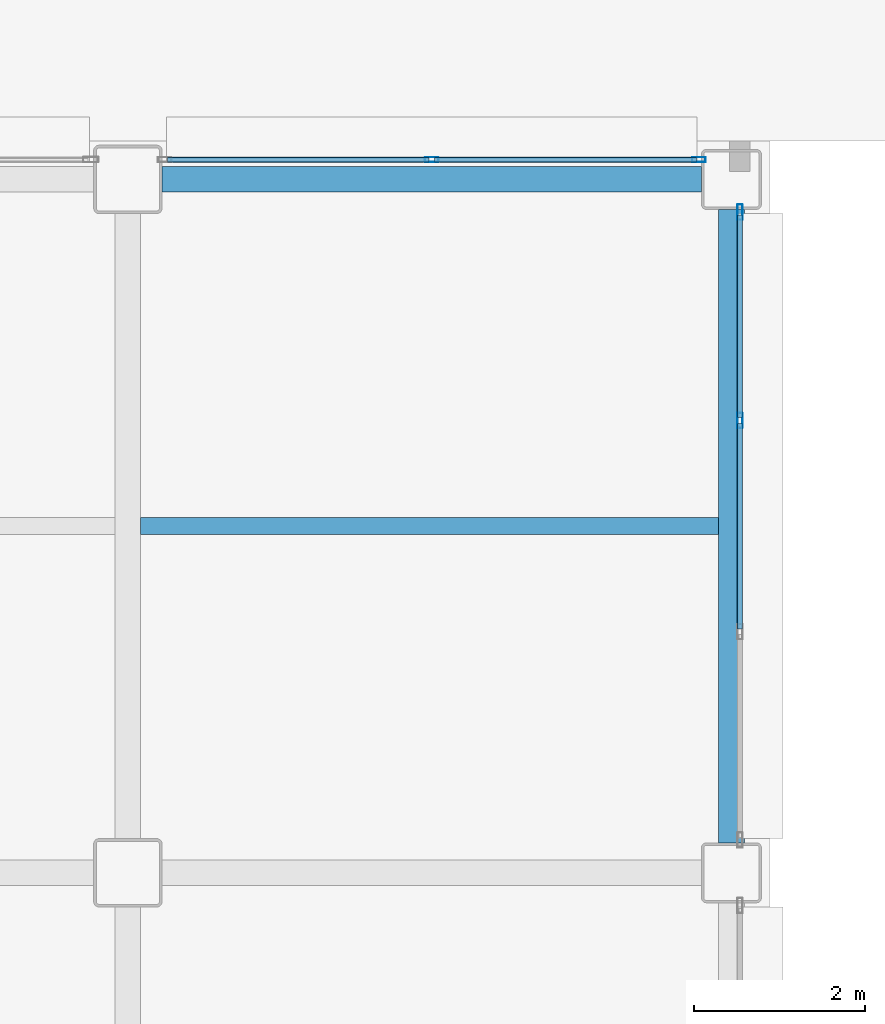
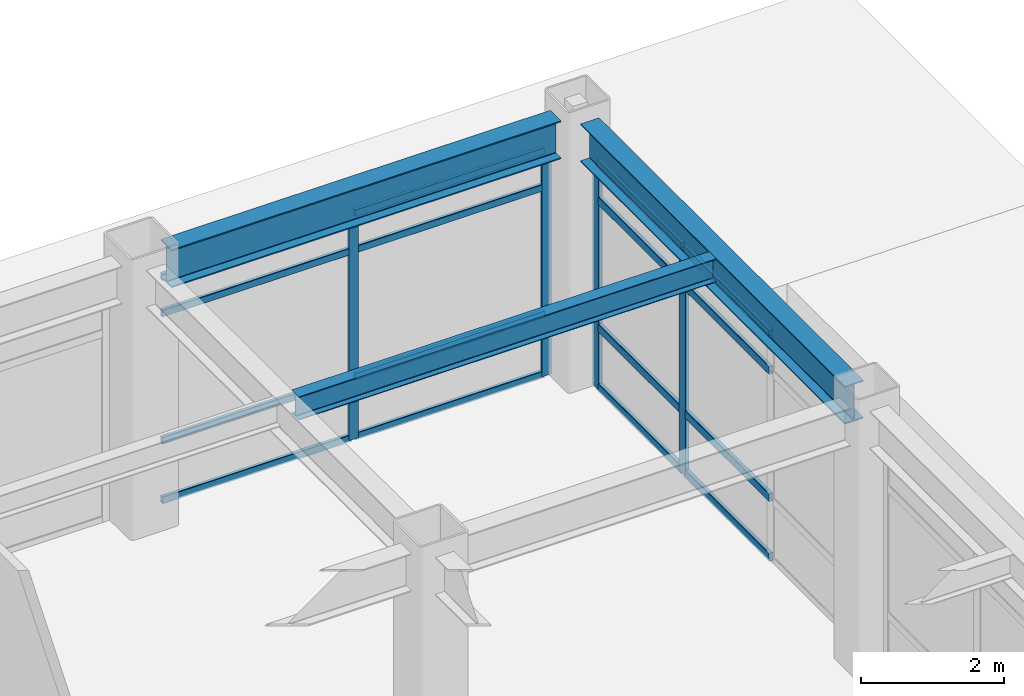
# One storey, part 122 of 172: 20 members, 3 beams, 2 elements without a shape of their own.
"""IFC4 building model written with IfcOpenShell, lengths in metres."""

import ifcopenshell
import ifcopenshell.guid

model = None  # the IFC model being written
_history = None  # IfcOwnerHistory: only IFC2X3 demands one
_inside = {}  # id of a spatial element -> (the spatial element, [elements in it])
_under = {}  # id of a project, library or spatial element -> (it, [spatial elements below it])
_declared = {}  # id of a project -> (the project, [libraries it declares])
_typed = {}  # id of a type object -> (the type object, [elements of that type])
_made_of = {}  # id of a material, layer set ... -> (it, [elements and type objects made of it])


def new_model(schema):
    """Start an empty IFC model of exactly this schema.

    Asked for "IFC4X3", IfcOpenShell would pick the latest addendum, in which some entities
    have other attributes; the version numbers below select the first issue.
    IFC2X3 requires an IfcOwnerHistory on every rooted entity: one is made here for all.
    """
    global model, _history
    if schema == "IFC4X3":
        model = ifcopenshell.file(schema_version=(4, 3, 0, 0))
    else:
        model = ifcopenshell.file(schema=schema)
    _inside.clear()
    _under.clear()
    _declared.clear()
    _typed.clear()
    _made_of.clear()
    _history = None
    if model.schema == "IFC2X3":
        org = make("IfcOrganization", Name="unknown")
        user = make(
            "IfcPersonAndOrganization",
            ThePerson=make("IfcPerson", FamilyName="unknown"),
            TheOrganization=org,
        )
        app = make(
            "IfcApplication",
            ApplicationDeveloper=org,
            Version="unknown",
            ApplicationFullName="unknown",
            ApplicationIdentifier="unknown",
        )
        _history = make(
            "IfcOwnerHistory",
            OwningUser=user,
            OwningApplication=app,
            ChangeAction="ADDED",
            CreationDate=0,
        )
    return model


def make(cls, **values):
    """One entity of the class cls with the attributes given. An attribute that is None is left unset."""
    return model.create_entity(
        cls, **{name: value for name, value in values.items() if value is not None}
    )


def rooted(cls, **values):
    """An entity with a GlobalId (a new one), such as an element, a storey or a relation."""
    return make(cls, GlobalId=ifcopenshell.guid.new(), OwnerHistory=_history, **values)


def si_unit(unit_type, name, prefix=None):
    """IfcSIUnit, for example si_unit("LENGTHUNIT", "METRE", prefix="MILLI")."""
    return make("IfcSIUnit", UnitType=unit_type, Prefix=prefix, Name=name)


def assignment(units):
    """IfcUnitAssignment: the units of a project."""
    return None if units is None else make("IfcUnitAssignment", Units=units)


def point(xyz):
    """IfcCartesianPoint."""
    return None if xyz is None else make("IfcCartesianPoint", Coordinates=xyz)


def direction(xyz):
    """IfcDirection."""
    return None if xyz is None else make("IfcDirection", DirectionRatios=xyz)


def frame(location, z_axis=None, x_axis=None):
    """IfcAxis2Placement3D, a coordinate frame: its origin and axes. An axis left out is left unset."""
    return make(
        "IfcAxis2Placement3D",
        Location=point(location),
        Axis=direction(z_axis),
        RefDirection=direction(x_axis),
    )


def frame_2d(location, x_axis=None):
    """IfcAxis2Placement2D, a coordinate frame in the plane: its origin and x axis."""
    return make(
        "IfcAxis2Placement2D", Location=point(location), RefDirection=direction(x_axis)
    )


def origin():
    """The frame at (0, 0, 0) with its axes left unset."""
    return frame((0.0, 0.0, 0.0))


def origin_2d():
    """The frame at (0, 0) in the plane with its x axis left unset."""
    return frame_2d((0.0, 0.0))


def place(relative_to, where):
    """IfcLocalPlacement: puts the frame where relative to a parent placement (None: the world)."""
    return make(
        "IfcLocalPlacement", PlacementRelTo=relative_to, RelativePlacement=where
    )


def context(
    kind, dimensions, precision=None, world=None, true_north=None, identifier=None
):
    """IfcGeometricRepresentationContext, for example the 3D "Model" context."""
    return make(
        "IfcGeometricRepresentationContext",
        ContextIdentifier=identifier,
        ContextType=kind,
        CoordinateSpaceDimension=dimensions,
        Precision=precision,
        WorldCoordinateSystem=world,
        TrueNorth=true_north,
    )


def subcontext(parent, identifier, kind, view, scale=None):
    """IfcGeometricRepresentationSubContext, for example "Body" below "Model"."""
    return make(
        "IfcGeometricRepresentationSubContext",
        ContextIdentifier=identifier,
        ContextType=kind,
        ParentContext=parent,
        TargetScale=scale,
        TargetView=view,
    )


def project(units=None, contexts=None):
    """IfcProject with its units and contexts."""
    return rooted(
        "IfcProject",
        Name="project",
        RepresentationContexts=contexts,
        UnitsInContext=assignment(units),
    )


def spatial(cls, under=None, at=None, **own):
    """A site, building, storey or space (cls), placed at a placement, below another one or the project."""
    s = rooted(cls, ObjectPlacement=at, **own)
    if under is not None:
        _under.setdefault(under.id(), (under, []))[1].append(s)
    return s


def profile(cls, at=None, kind="AREA", **sizes):
    """A parametric profile (cls). Its sizes go by their IFC names, for example OverallWidth=200.0."""
    return make(cls, ProfileType=kind, Position=at, **sizes)


def hollow_rectangle(**sizes):
    """IfcRectangleHollowProfileDef."""
    return profile("IfcRectangleHollowProfileDef", **sizes)


def i_section(**sizes):
    """IfcIShapeProfileDef."""
    return profile("IfcIShapeProfileDef", **sizes)


def extrude(swept, where, along, depth):
    """IfcExtrudedAreaSolid: the profile swept, set in the frame where, extruded along a direction by depth."""
    return make(
        "IfcExtrudedAreaSolid",
        SweptArea=swept,
        Position=where,
        ExtrudedDirection=direction(along),
        Depth=depth,
    )


def shape(context_of_items, identifier, shape_type, items):
    """IfcShapeRepresentation: the items that make up one representation, for example the "Body"."""
    return make(
        "IfcShapeRepresentation",
        ContextOfItems=context_of_items,
        RepresentationIdentifier=identifier,
        RepresentationType=shape_type,
        Items=items,
    )


def material(Name=None, Category=None):
    """IfcMaterial."""
    return make("IfcMaterial", Name=Name, Category=Category)


def layer(
    of_material, thickness, ventilated=None, Name=None, Category=None, Priority=None
):
    """IfcMaterialLayer: one layer of a wall or slab, of a material (None: an air gap)."""
    return make(
        "IfcMaterialLayer",
        Material=of_material,
        LayerThickness=thickness,
        IsVentilated=ventilated,
        Name=Name,
        Category=Category,
        Priority=Priority,
    )


def layer_set(layers, Name=None):
    """IfcMaterialLayerSet."""
    return make("IfcMaterialLayerSet", MaterialLayers=layers, LayerSetName=Name)


def material_profile(
    of_material, cross_section, Name=None, Category=None, Priority=None
):
    """IfcMaterialProfile: a cross section and its material."""
    return make(
        "IfcMaterialProfile",
        Name=Name,
        Material=of_material,
        Profile=cross_section,
        Priority=Priority,
        Category=Category,
    )


def profile_set(profiles, Name=None, composite=None):
    """IfcMaterialProfileSet."""
    return make(
        "IfcMaterialProfileSet",
        Name=Name,
        MaterialProfiles=profiles,
        CompositeProfile=composite,
    )


def made_of(thing, what):
    """Note that an element or type object is made of a material, layer set ...; save() writes the relation."""
    if what is not None:
        _made_of.setdefault(what.id(), (what, []))[1].append(thing)
    return thing


def type_object(cls, material=None, **own):
    """A type object (cls), such as IfcWallType, which elements share."""
    return made_of(rooted(cls, **own), material)


def element(
    cls,
    number,
    at=None,
    inside=None,
    cuts=None,
    type_object=None,
    material=None,
    context=None,
    identifier="Body",
    shape_type=None,
    held_by="IfcProductDefinitionShape",
    body=None,
    shapes=None,
    **own,
):
    """One element of the class cls, such as IfcWall. Its Tag is "e" and its number.

    at: its placement. inside: the storey or other place that contains it. cuts: it is an
    opening in that element (IfcRelVoidsElement). A single representation is given by context,
    identifier, shape_type and body (its items); several are given by shapes. held_by: the class
    of the entity that holds the representations. save() writes the other relations.
    """
    e = rooted(cls, Tag="e%d" % number, ObjectPlacement=at, **own)
    if body is not None:
        shapes = [shape(context, identifier, shape_type, body)]
    if shapes is not None:
        e.Representation = make(held_by, Representations=shapes)
    if inside is not None:
        _inside.setdefault(inside.id(), (inside, []))[1].append(e)
    if cuts is not None:
        rooted(
            "IfcRelVoidsElement", RelatingBuildingElement=cuts, RelatedOpeningElement=e
        )
    if type_object is not None:
        _typed.setdefault(type_object.id(), (type_object, []))[1].append(e)
    return made_of(e, material)


def aggregate(whole, parts):
    """IfcRelAggregates: a whole, such as a stair, and the parts it consists of."""
    return rooted("IfcRelAggregates", RelatingObject=whole, RelatedObjects=parts)


def save(model, path):
    """Write the relations noted so far, then the file.

    IfcRelAggregates (storeys below a building ...), IfcRelContainedInSpatialStructure (elements
    in a storey), IfcRelDefinesByType, IfcRelAssociatesMaterial and IfcRelDeclares: one each for
    every whole, place, type object, material and project.
    """
    for whole, parts in _under.values():
        aggregate(whole, parts)
    for where, things in _inside.values():
        rooted(
            "IfcRelContainedInSpatialStructure",
            RelatedElements=things,
            RelatingStructure=where,
        )
    for kind, things in _typed.values():
        rooted("IfcRelDefinesByType", RelatedObjects=things, RelatingType=kind)
    for what, things in _made_of.values():
        rooted("IfcRelAssociatesMaterial", RelatedObjects=things, RelatingMaterial=what)
    for by, libraries in _declared.values():
        rooted("IfcRelDeclares", RelatingContext=by, RelatedDefinitions=libraries)
    model.write(path)


model = new_model("IFC4")

# Units and contexts
model_context = context("Model", 3, precision=1e-05, world=origin(), true_north=direction((0.0, 1.0)))
body_context = subcontext(model_context, "Body", "Model", "MODEL_VIEW")
ifc_project = project(units=[si_unit("LENGTHUNIT", "METRE"), si_unit("AREAUNIT", "SQUARE_METRE"), si_unit("VOLUMEUNIT", "CUBIC_METRE"), si_unit("PLANEANGLEUNIT", "RADIAN"), si_unit("MASSUNIT", "GRAM", prefix="KILO")], contexts=[model_context])

# Site, building, storey
site_placement = place(None, origin())
site = spatial("IfcSite", under=ifc_project, at=site_placement, CompositionType="ELEMENT")
building_placement = place(site_placement, origin())
building = spatial("IfcBuilding", under=site, at=building_placement, Name="Kazehara Bluff Congress Hotel", CompositionType="ELEMENT")
storey_placement = place(building_placement, frame((0.0, 0.0, 5.39990234375)))
storey = spatial("IfcBuildingStorey", under=building, at=storey_placement, Name="L01", CompositionType="ELEMENT", Elevation=5.39990234375)

# Curtain wall, members
ifc_material_1 = material(Name="Anodised aluminium", Category="aluminium")
ifc_layer_1 = layer(ifc_material_1, 0.159912109375)
ifc_layer_set_1 = layer_set([ifc_layer_1], Name="Anodised aluminium")
curtain_wall_type_1 = type_object("IfcCurtainWallType", Name="TP-CW-112", PredefinedType="NOTDEFINED", material=ifc_layer_set_1)
curtain_wall_1_placement = place(storey_placement, origin())
curtain_wall_1 = element("IfcCurtainWall", 1, at=curtain_wall_1_placement, inside=storey, type_object=curtain_wall_type_1, Name="L01 curtain wall CW-112 CW-ENC-V5-L01-16405-11378", PredefinedType="NOTDEFINED")
ifc_material_2 = material(Name="Anodised aluminium", Category="aluminium")
ifc_material_profile_1 = material_profile(ifc_material_2, hollow_rectangle(XDim=0.06005859375, YDim=0.159912109375, WallThickness=0.00390625, InnerFilletRadius=0.00390625, OuterFilletRadius=0.008056640625, at=origin_2d()))
ifc_profile_set_1 = profile_set([ifc_material_profile_1], Name="Anodised aluminium")
member_type_1 = type_object("IfcMemberType", Name="TP-CWM-01", PredefinedType="MULLION", material=ifc_profile_set_1)
member_1_placement = place(storey_placement, frame((164.050048828125, 113.780029296875, 0.0), z_axis=(0.0, 0.0, 1.0), x_axis=(0.0, 1.0, 0.0)))
member_1 = element("IfcMember", 2, at=member_1_placement, type_object=member_type_1, Name="CW-112 mullion 2", PredefinedType="MULLION", context=body_context, shape_type="SweptSolid", body=[
    extrude(hollow_rectangle(XDim=0.06005859375, YDim=0.159912109375, WallThickness=0.00390625, InnerFilletRadius=0.00390625, OuterFilletRadius=0.008056640625, at=origin_2d()), origin(), (0.0, 0.0, 1.0), 3.875),
])
member_2_placement = place(storey_placement, frame((167.169921875, 113.780029296875, 0.0), z_axis=(0.0, 0.0, 1.0), x_axis=(0.0, 1.0, 0.0)))
member_2 = element("IfcMember", 3, at=member_2_placement, type_object=member_type_1, Name="CW-112 mullion 3", PredefinedType="MULLION", context=body_context, shape_type="SweptSolid", body=[
    extrude(hollow_rectangle(XDim=0.06005859375, YDim=0.159912109375, WallThickness=0.00390625, InnerFilletRadius=0.00390625, OuterFilletRadius=0.008056640625, at=origin_2d()), origin(), (0.0, 0.0, 1.0), 3.875),
])

ifc_material_3 = material(Name="Anodised aluminium", Category="aluminium")
ifc_layer_2 = layer(ifc_material_3, 0.159912109375)
ifc_layer_set_2 = layer_set([ifc_layer_2], Name="Anodised aluminium")
curtain_wall_type_2 = type_object("IfcCurtainWallType", Name="TP-CW-34", PredefinedType="NOTDEFINED", material=ifc_layer_set_2)
curtain_wall_2_placement = place(storey_placement, origin())
curtain_wall_2 = element("IfcCurtainWall", 4, at=curtain_wall_2_placement, inside=storey, type_object=curtain_wall_type_2, Name="L01 curtain wall CW-34 CW-ENC-V5-L01-16765-10950", PredefinedType="NOTDEFINED")
ifc_material_4 = material(Name="Anodised aluminium", Category="aluminium")
ifc_material_profile_2 = material_profile(ifc_material_4, hollow_rectangle(XDim=0.06494140625, YDim=0.179931640625, WallThickness=0.00390625, InnerFilletRadius=0.00390625, OuterFilletRadius=0.008056640625, at=origin_2d()))
ifc_profile_set_2 = profile_set([ifc_material_profile_2], Name="Anodised aluminium")
member_type_2 = type_object("IfcMemberType", Name="TP-CWM-02", PredefinedType="MULLION", material=ifc_profile_set_2)
member_3_placement = place(storey_placement, frame((167.64990234375, 113.16748046875, 0.0), z_axis=(0.0, 0.0, 1.0), x_axis=(1.0, 0.0, 0.0)))
member_3 = element("IfcMember", 5, at=member_3_placement, type_object=member_type_2, Name="CW-34 mullion 1", PredefinedType="MULLION", context=body_context, shape_type="SweptSolid", body=[
    extrude(hollow_rectangle(XDim=0.06494140625, YDim=0.179931640625, WallThickness=0.00390625, InnerFilletRadius=0.00390625, OuterFilletRadius=0.008056640625, at=origin_2d()), origin(), (0.0, 0.0, 1.0), 3.875),
])
member_4_placement = place(storey_placement, frame((167.64990234375, 110.7333984375, 0.0), z_axis=(0.0, 0.0, 1.0), x_axis=(1.0, 0.0, 0.0)))
member_4 = element("IfcMember", 6, at=member_4_placement, type_object=member_type_2, Name="CW-34 mullion 2", PredefinedType="MULLION", context=body_context, shape_type="SweptSolid", body=[
    extrude(hollow_rectangle(XDim=0.06494140625, YDim=0.179931640625, WallThickness=0.00390625, InnerFilletRadius=0.00390625, OuterFilletRadius=0.008056640625, at=origin_2d()), origin(), (0.0, 0.0, 1.0), 3.875),
])

# Member
ifc_material_5 = material(Name="Anodised aluminium", Category="aluminium")
ifc_material_profile_3 = material_profile(ifc_material_5, hollow_rectangle(XDim=0.06005859375, YDim=0.1201171875, WallThickness=0.00390625, InnerFilletRadius=0.00390625, OuterFilletRadius=0.008056640625, at=origin_2d()))
ifc_profile_set_3 = profile_set([ifc_material_profile_3], Name="Anodised aluminium")
member_type_3 = type_object("IfcMemberType", Name="TP-CWT-01", PredefinedType="USERDEFINED", material=ifc_profile_set_3)
member_5_placement = place(storey_placement, frame((160.9599609375, 113.780029296875, 0.030029296875), z_axis=(1.0, 0.0, 0.0), x_axis=(0.0, 1.0, 0.0)))
member_5 = element("IfcMember", 7, at=member_5_placement, type_object=member_type_3, Name="CW-112 transom 1.1", ObjectType="TRANSOM", PredefinedType="USERDEFINED", context=body_context, shape_type="SweptSolid", body=[
    extrude(hollow_rectangle(XDim=0.06005859375, YDim=0.1201171875, WallThickness=0.00390625, InnerFilletRadius=0.00390625, OuterFilletRadius=0.008056640625, at=origin_2d()), origin(), (0.0, 0.0, 1.0), 3.06005859375),
])

member_6_placement = place(storey_placement, frame((160.9599609375, 113.780029296875, 1.050048828125), z_axis=(1.0, 0.0, 0.0), x_axis=(0.0, 1.0, 0.0)))
member_6 = element("IfcMember", 8, at=member_6_placement, type_object=member_type_3, Name="CW-112 transom 1.2", ObjectType="TRANSOM", PredefinedType="USERDEFINED", context=body_context, shape_type="SweptSolid", body=[
    extrude(hollow_rectangle(XDim=0.06005859375, YDim=0.1201171875, WallThickness=0.00390625, InnerFilletRadius=0.00390625, OuterFilletRadius=0.008056640625, at=origin_2d()), origin(), (0.0, 0.0, 1.0), 3.06005859375),
])

member_7_placement = place(storey_placement, frame((160.9599609375, 113.780029296875, 3.22509765625), z_axis=(1.0, 0.0, 0.0), x_axis=(0.0, 1.0, 0.0)))
member_7 = element("IfcMember", 9, at=member_7_placement, type_object=member_type_3, Name="CW-112 transom 1.3", ObjectType="TRANSOM", PredefinedType="USERDEFINED", context=body_context, shape_type="SweptSolid", body=[
    extrude(hollow_rectangle(XDim=0.06005859375, YDim=0.1201171875, WallThickness=0.00390625, InnerFilletRadius=0.00390625, OuterFilletRadius=0.008056640625, at=origin_2d()), origin(), (0.0, 0.0, 1.0), 3.06005859375),
])

member_8_placement = place(storey_placement, frame((160.9599609375, 113.780029296875, 3.84521484375), z_axis=(1.0, 0.0, 0.0), x_axis=(0.0, 1.0, 0.0)))
member_8 = element("IfcMember", 10, at=member_8_placement, type_object=member_type_3, Name="CW-112 transom 1.4", ObjectType="TRANSOM", PredefinedType="USERDEFINED", context=body_context, shape_type="SweptSolid", body=[
    extrude(hollow_rectangle(XDim=0.06005859375, YDim=0.1201171875, WallThickness=0.00390625, InnerFilletRadius=0.00390625, OuterFilletRadius=0.008056640625, at=origin_2d()), origin(), (0.0, 0.0, 1.0), 3.06005859375),
])

member_9_placement = place(storey_placement, frame((164.080078125, 113.780029296875, 0.030029296875), z_axis=(1.0, 0.0, 0.0), x_axis=(0.0, 1.0, 0.0)))
member_9 = element("IfcMember", 11, at=member_9_placement, type_object=member_type_3, Name="CW-112 transom 2.1", ObjectType="TRANSOM", PredefinedType="USERDEFINED", context=body_context, shape_type="SweptSolid", body=[
    extrude(hollow_rectangle(XDim=0.06005859375, YDim=0.1201171875, WallThickness=0.00390625, InnerFilletRadius=0.00390625, OuterFilletRadius=0.008056640625, at=origin_2d()), origin(), (0.0, 0.0, 1.0), 3.059814453125),
])

member_10_placement = place(storey_placement, frame((164.080078125, 113.780029296875, 1.050048828125), z_axis=(1.0, 0.0, 0.0), x_axis=(0.0, 1.0, 0.0)))
member_10 = element("IfcMember", 12, at=member_10_placement, type_object=member_type_3, Name="CW-112 transom 2.2", ObjectType="TRANSOM", PredefinedType="USERDEFINED", context=body_context, shape_type="SweptSolid", body=[
    extrude(hollow_rectangle(XDim=0.06005859375, YDim=0.1201171875, WallThickness=0.00390625, InnerFilletRadius=0.00390625, OuterFilletRadius=0.008056640625, at=origin_2d()), origin(), (0.0, 0.0, 1.0), 3.059814453125),
])

member_11_placement = place(storey_placement, frame((164.080078125, 113.780029296875, 3.22509765625), z_axis=(1.0, 0.0, 0.0), x_axis=(0.0, 1.0, 0.0)))
member_11 = element("IfcMember", 13, at=member_11_placement, type_object=member_type_3, Name="CW-112 transom 2.3", ObjectType="TRANSOM", PredefinedType="USERDEFINED", context=body_context, shape_type="SweptSolid", body=[
    extrude(hollow_rectangle(XDim=0.06005859375, YDim=0.1201171875, WallThickness=0.00390625, InnerFilletRadius=0.00390625, OuterFilletRadius=0.008056640625, at=origin_2d()), origin(), (0.0, 0.0, 1.0), 3.059814453125),
])

member_12_placement = place(storey_placement, frame((164.080078125, 113.780029296875, 3.84521484375), z_axis=(1.0, 0.0, 0.0), x_axis=(0.0, 1.0, 0.0)))
member_12 = element("IfcMember", 14, at=member_12_placement, type_object=member_type_3, Name="CW-112 transom 2.4", ObjectType="TRANSOM", PredefinedType="USERDEFINED", context=body_context, shape_type="SweptSolid", body=[
    extrude(hollow_rectangle(XDim=0.06005859375, YDim=0.1201171875, WallThickness=0.00390625, InnerFilletRadius=0.00390625, OuterFilletRadius=0.008056640625, at=origin_2d()), origin(), (0.0, 0.0, 1.0), 3.059814453125),
])

aggregate(curtain_wall_1, [member_1, member_2, member_5, member_6, member_7, member_8, member_9, member_10, member_11, member_12])

ifc_material_6 = material(Name="Anodised aluminium", Category="aluminium")
ifc_material_profile_4 = material_profile(ifc_material_6, hollow_rectangle(XDim=0.06494140625, YDim=0.139892578125, WallThickness=0.00390625, InnerFilletRadius=0.00390625, OuterFilletRadius=0.008056640625, at=origin_2d()))
ifc_profile_set_4 = profile_set([ifc_material_profile_4], Name="Anodised aluminium")
member_type_4 = type_object("IfcMemberType", Name="TP-CWT-02", PredefinedType="USERDEFINED", material=ifc_profile_set_4)
member_13_placement = place(storey_placement, frame((167.64990234375, 113.135009765625, 0.03271484375), z_axis=(0.0, -1.0, 0.0), x_axis=(1.0, 0.0, 0.0)))
member_13 = element("IfcMember", 15, at=member_13_placement, type_object=member_type_4, Name="CW-34 transom 1.1", ObjectType="TRANSOM", PredefinedType="USERDEFINED", context=body_context, shape_type="SweptSolid", body=[
    extrude(hollow_rectangle(XDim=0.06494140625, YDim=0.139892578125, WallThickness=0.00390625, InnerFilletRadius=0.00390625, OuterFilletRadius=0.008056640625, at=origin_2d()), origin(), (0.0, 0.0, 1.0), 2.369140625),
])

member_14_placement = place(storey_placement, frame((167.64990234375, 113.135009765625, 1.050048828125), z_axis=(0.0, -1.0, 0.0), x_axis=(1.0, 0.0, 0.0)))
member_14 = element("IfcMember", 16, at=member_14_placement, type_object=member_type_4, Name="CW-34 transom 1.2", ObjectType="TRANSOM", PredefinedType="USERDEFINED", context=body_context, shape_type="SweptSolid", body=[
    extrude(hollow_rectangle(XDim=0.06494140625, YDim=0.139892578125, WallThickness=0.00390625, InnerFilletRadius=0.00390625, OuterFilletRadius=0.008056640625, at=origin_2d()), origin(), (0.0, 0.0, 1.0), 2.369140625),
])

member_15_placement = place(storey_placement, frame((167.64990234375, 113.135009765625, 3.22509765625), z_axis=(0.0, -1.0, 0.0), x_axis=(1.0, 0.0, 0.0)))
member_15 = element("IfcMember", 17, at=member_15_placement, type_object=member_type_4, Name="CW-34 transom 1.3", ObjectType="TRANSOM", PredefinedType="USERDEFINED", context=body_context, shape_type="SweptSolid", body=[
    extrude(hollow_rectangle(XDim=0.06494140625, YDim=0.139892578125, WallThickness=0.00390625, InnerFilletRadius=0.00390625, OuterFilletRadius=0.008056640625, at=origin_2d()), origin(), (0.0, 0.0, 1.0), 2.369140625),
])

member_16_placement = place(storey_placement, frame((167.64990234375, 113.135009765625, 3.842529296875), z_axis=(0.0, -1.0, 0.0), x_axis=(1.0, 0.0, 0.0)))
member_16 = element("IfcMember", 18, at=member_16_placement, type_object=member_type_4, Name="CW-34 transom 1.4", ObjectType="TRANSOM", PredefinedType="USERDEFINED", context=body_context, shape_type="SweptSolid", body=[
    extrude(hollow_rectangle(XDim=0.06494140625, YDim=0.139892578125, WallThickness=0.00390625, InnerFilletRadius=0.00390625, OuterFilletRadius=0.008056640625, at=origin_2d()), origin(), (0.0, 0.0, 1.0), 2.369140625),
])

member_17_placement = place(storey_placement, frame((167.64990234375, 110.700927734375, 0.03271484375), z_axis=(0.0, -1.0, 0.0), x_axis=(1.0, 0.0, 0.0)))
member_17 = element("IfcMember", 19, at=member_17_placement, type_object=member_type_4, Name="CW-34 transom 2.1", ObjectType="TRANSOM", PredefinedType="USERDEFINED", context=body_context, shape_type="SweptSolid", body=[
    extrude(hollow_rectangle(XDim=0.06494140625, YDim=0.139892578125, WallThickness=0.00390625, InnerFilletRadius=0.00390625, OuterFilletRadius=0.008056640625, at=origin_2d()), origin(), (0.0, 0.0, 1.0), 2.40185546875),
])

member_18_placement = place(storey_placement, frame((167.64990234375, 110.700927734375, 1.050048828125), z_axis=(0.0, -1.0, 0.0), x_axis=(1.0, 0.0, 0.0)))
member_18 = element("IfcMember", 20, at=member_18_placement, type_object=member_type_4, Name="CW-34 transom 2.2", ObjectType="TRANSOM", PredefinedType="USERDEFINED", context=body_context, shape_type="SweptSolid", body=[
    extrude(hollow_rectangle(XDim=0.06494140625, YDim=0.139892578125, WallThickness=0.00390625, InnerFilletRadius=0.00390625, OuterFilletRadius=0.008056640625, at=origin_2d()), origin(), (0.0, 0.0, 1.0), 2.40185546875),
])

member_19_placement = place(storey_placement, frame((167.64990234375, 110.700927734375, 3.22509765625), z_axis=(0.0, -1.0, 0.0), x_axis=(1.0, 0.0, 0.0)))
member_19 = element("IfcMember", 21, at=member_19_placement, type_object=member_type_4, Name="CW-34 transom 2.3", ObjectType="TRANSOM", PredefinedType="USERDEFINED", context=body_context, shape_type="SweptSolid", body=[
    extrude(hollow_rectangle(XDim=0.06494140625, YDim=0.139892578125, WallThickness=0.00390625, InnerFilletRadius=0.00390625, OuterFilletRadius=0.008056640625, at=origin_2d()), origin(), (0.0, 0.0, 1.0), 2.40185546875),
])

member_20_placement = place(storey_placement, frame((167.64990234375, 110.700927734375, 3.842529296875), z_axis=(0.0, -1.0, 0.0), x_axis=(1.0, 0.0, 0.0)))
member_20 = element("IfcMember", 22, at=member_20_placement, type_object=member_type_4, Name="CW-34 transom 2.4", ObjectType="TRANSOM", PredefinedType="USERDEFINED", context=body_context, shape_type="SweptSolid", body=[
    extrude(hollow_rectangle(XDim=0.06494140625, YDim=0.139892578125, WallThickness=0.00390625, InnerFilletRadius=0.00390625, OuterFilletRadius=0.008056640625, at=origin_2d()), origin(), (0.0, 0.0, 1.0), 2.40185546875),
])

aggregate(curtain_wall_2, [member_3, member_4, member_13, member_14, member_15, member_16, member_17, member_18, member_19, member_20])

# Beams
ifc_material_7 = material(Name="Steel SN490B", Category="steel")
ifc_material_profile_5 = material_profile(ifc_material_7, i_section(OverallWidth=0.300048828125, OverallDepth=0.64990234375, WebThickness=0.011962890625, FlangeThickness=0.02001953125, FilletRadius=0.012939453125, at=origin_2d()))
ifc_profile_set_5 = profile_set([ifc_material_profile_5], Name="Steel SN490B")
beam_type_1 = type_object("IfcBeamType", Name="TP-G-03", PredefinedType="BEAM", material=ifc_profile_set_5)
beam_1_placement = place(storey_placement, frame((167.550048828125, 105.800048828125, 4.22509765625), z_axis=(0.0, 1.0, 0.0), x_axis=(-1.0, 0.0, 0.0)))
element("IfcBeam", 23, at=beam_1_placement, inside=storey, type_object=beam_type_1, Name="L01 girder G-03 270", PredefinedType="BEAM", context=body_context, shape_type="SweptSolid", body=[
    extrude(i_section(OverallWidth=0.300048828125, OverallDepth=0.64990234375, WebThickness=0.011962890625, FlangeThickness=0.02001953125, FilletRadius=0.012939453125, at=origin_2d()), origin(), (0.0, 0.0, 1.0), 7.39990234375),
])
beam_2_placement = place(storey_placement, frame((160.89990234375, 113.550048828125, 4.22509765625), z_axis=(1.0, 0.0, 0.0), x_axis=(0.0, 1.0, 0.0)))
element("IfcBeam", 24, at=beam_2_placement, inside=storey, type_object=beam_type_1, Name="L01 girder G-03 318", PredefinedType="BEAM", context=body_context, shape_type="SweptSolid", body=[
    extrude(i_section(OverallWidth=0.300048828125, OverallDepth=0.64990234375, WebThickness=0.011962890625, FlangeThickness=0.02001953125, FilletRadius=0.012939453125, at=origin_2d()), origin(), (0.0, 0.0, 1.0), 6.300048828125),
])
ifc_material_8 = material(Name="Steel SN400B", Category="steel")
ifc_material_profile_6 = material_profile(ifc_material_8, i_section(OverallWidth=0.199951171875, OverallDepth=0.39990234375, WebThickness=0.008056640625, FlangeThickness=0.012939453125, FilletRadius=0.012939453125, at=origin_2d()))
ifc_profile_set_6 = profile_set([ifc_material_profile_6], Name="Steel SN400B")
beam_type_2 = type_object("IfcBeamType", Name="TP-J-03", PredefinedType="JOIST", material=ifc_profile_set_6)
beam_3_placement = place(storey_placement, frame((160.64990234375, 109.5, 4.35009765625), z_axis=(1.0, 0.0, 0.0), x_axis=(0.0, 1.0, 0.0)))
element("IfcBeam", 25, at=beam_3_placement, inside=storey, type_object=beam_type_2, Name="L01 secondary joist J-03 81", PredefinedType="JOIST", context=body_context, shape_type="SweptSolid", body=[
    extrude(i_section(OverallWidth=0.199951171875, OverallDepth=0.39990234375, WebThickness=0.008056640625, FlangeThickness=0.012939453125, FilletRadius=0.012939453125, at=origin_2d()), origin(), (0.0, 0.0, 1.0), 6.75),
])

save(model, "model.ifc")
